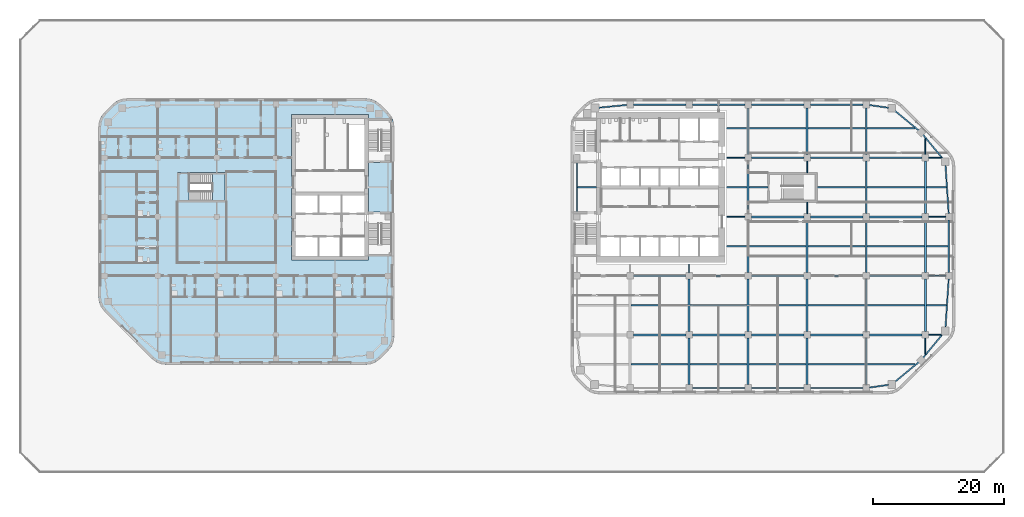
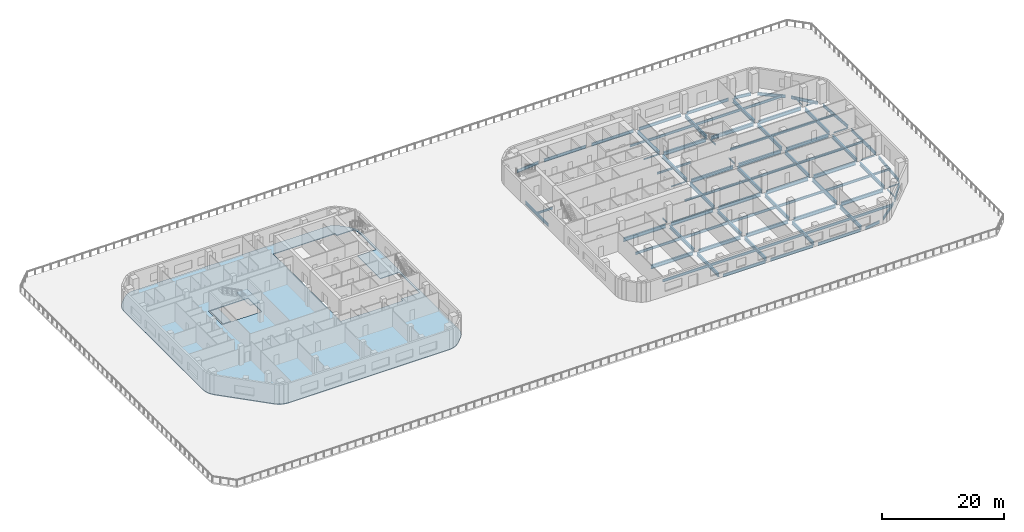
# One storey, part 3 of 18: 90 beams, 3 slabs, 1 element without a shape of its own.
"""IFC4 building model written with IfcOpenShell, lengths in metres."""

from ifc_helpers import new_model, si_unit, direction, frame, origin, origin_2d, place, context, subcontext, project, spatial, polyline, i_section, outline, extrude, material, layer, layer_set, material_profile, profile_set, type_object, element, aggregate, save


model = new_model("IFC4")

# Units and contexts
model_context = context("Model", 3, precision=1e-05, world=origin(), true_north=direction((0.0, 1.0)))
body_context = subcontext(model_context, "Body", "Model", "MODEL_VIEW")
ifc_project = project(units=[si_unit("LENGTHUNIT", "METRE"), si_unit("AREAUNIT", "SQUARE_METRE"), si_unit("VOLUMEUNIT", "CUBIC_METRE"), si_unit("PLANEANGLEUNIT", "RADIAN"), si_unit("MASSUNIT", "GRAM", prefix="KILO")], contexts=[model_context])

# Site, building, storey
site_placement = place(None, origin())
site = spatial("IfcSite", under=ifc_project, at=site_placement, CompositionType="ELEMENT")
building_placement = place(site_placement, origin())
building = spatial("IfcBuilding", under=site, at=building_placement, Name="Cinnabar Reach Civic Tower", CompositionType="ELEMENT")
storey_placement = place(building_placement, frame((0.0, 0.0, 26.0)))
storey = spatial("IfcBuildingStorey", under=building, at=storey_placement, Name="L05", CompositionType="ELEMENT", Elevation=26.0)

# Beams
ifc_material_1 = material(Name="Steel Q355B", Category="steel")
ifc_material_profile_1 = material_profile(ifc_material_1, i_section(OverallWidth=0.099, OverallDepth=0.198, WebThickness=0.0045, FlangeThickness=0.007, FilletRadius=0.013, at=origin_2d()), Name="HN200x100x5.5x8")
ifc_profile_set_1 = profile_set([ifc_material_profile_1], Name="Steel Q355B")
beam_type_1 = type_object("IfcBeamType", Name="HN200x100x5.5x8 beam R 180", PredefinedType="BEAM", material=ifc_profile_set_1)
beam_1_placement = place(storey_placement, frame((18.0, 18.502, -0.249), z_axis=(0.0, 1.0, 0.0), x_axis=(-1.0, 0.0, 0.0)))
element("IfcBeam", 1, at=beam_1_placement, inside=storey, type_object=beam_type_1, Name="Girder T1 L05 6", PredefinedType="BEAM", context=body_context, shape_type="SweptSolid", body=[
    extrude(i_section(OverallWidth=0.099, OverallDepth=0.198, WebThickness=0.0045, FlangeThickness=0.007, FilletRadius=0.013, at=origin_2d()), origin(), (0.0, 0.0, 1.0), 1.296),
])
for number, where, z_axis, x_axis, name in (
    (2, (36.0, 27.502, -0.249), (0.0, 1.0, 0.0), (-1.0, 0.0, 0.0), "Girder T1 L05 15"),
    (3, (36.0, 33.752, -0.249), (0.0, 1.0, 0.0), (-1.0, 0.0, 0.0), "Girder T1 L05 16"),
):
    element("IfcBeam", number, at=place(storey_placement, frame(where, z_axis=z_axis, x_axis=x_axis)), inside=storey, type_object=beam_type_1, Name=name, PredefinedType="BEAM", context=body_context, shape_type="SweptSolid", body=[
        extrude(i_section(OverallWidth=0.099, OverallDepth=0.198, WebThickness=0.0045, FlangeThickness=0.007, FilletRadius=0.013, at=origin_2d()), origin(), (0.0, 0.0, 1.0), 1.746),
    ])
for number, where, z_axis, x_axis, name in (
    (4, (54.0, 6.0682, -0.249), (0.0, 1.0, 0.0), (-1.0, 0.0, 0.0), "Girder T1 L05 23"),
    (5, (54.0, 36.502, -0.249), (0.0, 1.0, 0.0), (-1.0, 0.0, 0.0), "Girder T1 L05 27"),
):
    element("IfcBeam", number, at=place(storey_placement, frame(where, z_axis=z_axis, x_axis=x_axis)), inside=storey, type_object=beam_type_1, Name=name, PredefinedType="BEAM", context=body_context, shape_type="SweptSolid", body=[
        extrude(i_section(OverallWidth=0.099, OverallDepth=0.198, WebThickness=0.0045, FlangeThickness=0.007, FilletRadius=0.013, at=origin_2d()), origin(), (0.0, 0.0, 1.0), 2.4298),
    ])
ifc_material_profile_2 = material_profile(ifc_material_1, i_section(OverallWidth=0.124, OverallDepth=0.248, WebThickness=0.005, FlangeThickness=0.008, FilletRadius=0.013, at=origin_2d()), Name="HN250x125x6x9")
ifc_profile_set_2 = profile_set([ifc_material_profile_2], Name="Steel Q355B")
beam_type_2 = type_object("IfcBeamType", Name="HN250x125x6x9 beam R 180", PredefinedType="BEAM", material=ifc_profile_set_2)
beam_2_placement = place(storey_placement, frame((54.502, 9.0, -0.274), z_axis=(1.0, 0.0, 0.0), x_axis=(0.0, 1.0, 0.0)))
element("IfcBeam", 6, at=beam_2_placement, inside=storey, type_object=beam_type_2, Name="Girder T1 L05 7", PredefinedType="BEAM", context=body_context, shape_type="SweptSolid", body=[
    extrude(i_section(OverallWidth=0.124, OverallDepth=0.248, WebThickness=0.005, FlangeThickness=0.008, FilletRadius=0.013, at=origin_2d()), origin(), (0.0, 0.0, 1.0), 1.9162),
])
beam_3_placement = place(storey_placement, frame((54.502, 18.0, -0.274), z_axis=(1.0, 0.0, 0.0), x_axis=(0.0, 1.0, 0.0)))
element("IfcBeam", 7, at=beam_3_placement, inside=storey, type_object=beam_type_2, Name="Girder T1 L05 14", PredefinedType="BEAM", context=body_context, shape_type="SweptSolid", body=[
    extrude(i_section(OverallWidth=0.124, OverallDepth=0.248, WebThickness=0.005, FlangeThickness=0.008, FilletRadius=0.013, at=origin_2d()), origin(), (0.0, 0.0, 1.0), 2.596),
])
beam_4_placement = place(storey_placement, frame((23.702, 27.0, -0.274), z_axis=(1.0, 0.0, 0.0), x_axis=(0.0, 1.0, 0.0)))
element("IfcBeam", 8, at=beam_4_placement, inside=storey, type_object=beam_type_2, Name="Girder T1 L05 15", PredefinedType="BEAM", context=body_context, shape_type="SweptSolid", body=[
    extrude(i_section(OverallWidth=0.124, OverallDepth=0.248, WebThickness=0.005, FlangeThickness=0.008, FilletRadius=0.013, at=origin_2d()), origin(), (0.0, 0.0, 1.0), 2.796),
])
beam_5_placement = place(storey_placement, frame((54.502, 27.0, -0.274), z_axis=(1.0, 0.0, 0.0), x_axis=(0.0, 1.0, 0.0)))
element("IfcBeam", 9, at=beam_5_placement, inside=storey, type_object=beam_type_2, Name="Girder T1 L05 19", PredefinedType="BEAM", context=body_context, shape_type="SweptSolid", body=[
    extrude(i_section(OverallWidth=0.124, OverallDepth=0.248, WebThickness=0.005, FlangeThickness=0.008, FilletRadius=0.013, at=origin_2d()), origin(), (0.0, 0.0, 1.0), 2.596),
])
beam_6_placement = place(storey_placement, frame((23.702, 36.0, -0.274), z_axis=(1.0, 0.0, 0.0), x_axis=(0.0, 1.0, 0.0)))
element("IfcBeam", 10, at=beam_6_placement, inside=storey, type_object=beam_type_2, Name="Girder T1 L05 20", PredefinedType="BEAM", context=body_context, shape_type="SweptSolid", body=[
    extrude(i_section(OverallWidth=0.124, OverallDepth=0.248, WebThickness=0.005, FlangeThickness=0.008, FilletRadius=0.013, at=origin_2d()), origin(), (0.0, 0.0, 1.0), 2.796),
])
beam_7_placement = place(storey_placement, frame((54.502, 36.0, -0.274), z_axis=(1.0, 0.0, 0.0), x_axis=(0.0, 1.0, 0.0)))
element("IfcBeam", 11, at=beam_7_placement, inside=storey, type_object=beam_type_2, Name="Girder T1 L05 24", PredefinedType="BEAM", context=body_context, shape_type="SweptSolid", body=[
    extrude(i_section(OverallWidth=0.124, OverallDepth=0.248, WebThickness=0.005, FlangeThickness=0.008, FilletRadius=0.013, at=origin_2d()), origin(), (0.0, 0.0, 1.0), 1.9162),
])
ifc_material_profile_3 = material_profile(ifc_material_1, i_section(OverallWidth=0.2, OverallDepth=0.4, WebThickness=0.008, FlangeThickness=0.013, FilletRadius=0.016, at=origin_2d()), Name="HN400x200x8x13")
ifc_profile_set_3 = profile_set([ifc_material_profile_3], Name="Steel Q355B")
beam_type_3 = type_object("IfcBeamType", Name="HN400x200x8x13 beam R 180", PredefinedType="BEAM", material=ifc_profile_set_3)
beam_8_placement = place(storey_placement, frame((54.152, 13.5, -0.35), z_axis=(1.0, 0.0, 0.0), x_axis=(0.0, 1.0, 0.0)))
element("IfcBeam", 12, at=beam_8_placement, inside=storey, type_object=beam_type_3, Name="Secondary beam T1 L05 13", PredefinedType="BEAM", context=body_context, shape_type="SweptSolid", body=[
    extrude(i_section(OverallWidth=0.2, OverallDepth=0.4, WebThickness=0.008, FlangeThickness=0.013, FilletRadius=0.016, at=origin_2d()), origin(), (0.0, 0.0, 1.0), 3.0494),
])
beam_9_placement = place(storey_placement, frame((23.702, 22.5, -0.35), z_axis=(1.0, 0.0, 0.0), x_axis=(0.0, 1.0, 0.0)))
element("IfcBeam", 13, at=beam_9_placement, inside=storey, type_object=beam_type_3, Name="Secondary beam T1 L05 14", PredefinedType="BEAM", context=body_context, shape_type="SweptSolid", body=[
    extrude(i_section(OverallWidth=0.2, OverallDepth=0.4, WebThickness=0.008, FlangeThickness=0.013, FilletRadius=0.016, at=origin_2d()), origin(), (0.0, 0.0, 1.0), 3.146),
])
beam_10_placement = place(storey_placement, frame((54.152, 22.5, -0.35), z_axis=(1.0, 0.0, 0.0), x_axis=(0.0, 1.0, 0.0)))
element("IfcBeam", 14, at=beam_10_placement, inside=storey, type_object=beam_type_3, Name="Secondary beam T1 L05 18", PredefinedType="BEAM", context=body_context, shape_type="SweptSolid", body=[
    extrude(i_section(OverallWidth=0.2, OverallDepth=0.4, WebThickness=0.008, FlangeThickness=0.013, FilletRadius=0.016, at=origin_2d()), origin(), (0.0, 0.0, 1.0), 3.346),
])
beam_11_placement = place(storey_placement, frame((1.002, 31.5, -0.35), z_axis=(1.0, 0.0, 0.0), x_axis=(0.0, 1.0, 0.0)))
element("IfcBeam", 15, at=beam_11_placement, inside=storey, type_object=beam_type_3, Name="Secondary beam T1 L05 19", PredefinedType="BEAM", context=body_context, shape_type="SweptSolid", body=[
    extrude(i_section(OverallWidth=0.2, OverallDepth=0.4, WebThickness=0.008, FlangeThickness=0.013, FilletRadius=0.016, at=origin_2d()), origin(), (0.0, 0.0, 1.0), 2.896),
])
beam_12_placement = place(storey_placement, frame((23.702, 31.5, -0.35), z_axis=(1.0, 0.0, 0.0), x_axis=(0.0, 1.0, 0.0)))
element("IfcBeam", 16, at=beam_12_placement, inside=storey, type_object=beam_type_3, Name="Secondary beam T1 L05 20", PredefinedType="BEAM", context=body_context, shape_type="SweptSolid", body=[
    extrude(i_section(OverallWidth=0.2, OverallDepth=0.4, WebThickness=0.008, FlangeThickness=0.013, FilletRadius=0.016, at=origin_2d()), origin(), (0.0, 0.0, 1.0), 3.146),
])
beam_13_placement = place(storey_placement, frame((27.152, 31.5, -0.35), z_axis=(1.0, 0.0, 0.0), x_axis=(0.0, 1.0, 0.0)))
element("IfcBeam", 17, at=beam_13_placement, inside=storey, type_object=beam_type_3, Name="Secondary beam T1 L05 21", PredefinedType="BEAM", context=body_context, shape_type="SweptSolid", body=[
    extrude(i_section(OverallWidth=0.2, OverallDepth=0.4, WebThickness=0.008, FlangeThickness=0.013, FilletRadius=0.016, at=origin_2d()), origin(), (0.0, 0.0, 1.0), 2.846),
])
beam_14_placement = place(storey_placement, frame((54.152, 31.5, -0.35), z_axis=(1.0, 0.0, 0.0), x_axis=(0.0, 1.0, 0.0)))
element("IfcBeam", 18, at=beam_14_placement, inside=storey, type_object=beam_type_3, Name="Secondary beam T1 L05 24", PredefinedType="BEAM", context=body_context, shape_type="SweptSolid", body=[
    extrude(i_section(OverallWidth=0.2, OverallDepth=0.4, WebThickness=0.008, FlangeThickness=0.013, FilletRadius=0.016, at=origin_2d()), origin(), (0.0, 0.0, 1.0), 3.0494),
])
beam_15_placement = place(storey_placement, frame((23.702, 40.5, -0.35), z_axis=(1.0, 0.0, 0.0), x_axis=(0.0, 1.0, 0.0)))
element("IfcBeam", 19, at=beam_15_placement, inside=storey, type_object=beam_type_3, Name="Secondary beam T1 L05 25", PredefinedType="BEAM", context=body_context, shape_type="SweptSolid", body=[
    extrude(i_section(OverallWidth=0.2, OverallDepth=0.4, WebThickness=0.008, FlangeThickness=0.013, FilletRadius=0.016, at=origin_2d()), origin(), (0.0, 0.0, 1.0), 3.146),
])
ifc_material_profile_4 = material_profile(ifc_material_1, i_section(OverallWidth=0.2, OverallDepth=0.5, WebThickness=0.01, FlangeThickness=0.016, FilletRadius=0.016, at=origin_2d()), Name="HN500x200x10x16")
ifc_profile_set_4 = profile_set([ifc_material_profile_4], Name="Steel Q355B")
beam_type_4 = type_object("IfcBeamType", Name="HN500x200x10x16 beam R 180", PredefinedType="BEAM", material=ifc_profile_set_4)
for number, where, z_axis, x_axis, name in (
    (20, (9.152, 4.5, -0.4), (1.0, 0.0, 0.0), (0.0, 1.0, 0.0), "Secondary beam T1 L05 2"),
    (21, (18.152, 4.5, -0.4), (1.0, 0.0, 0.0), (0.0, 1.0, 0.0), "Secondary beam T1 L05 3"),
    (22, (27.152, 4.5, -0.4), (1.0, 0.0, 0.0), (0.0, 1.0, 0.0), "Secondary beam T1 L05 4"),
    (23, (36.152, 4.5, -0.4), (1.0, 0.0, 0.0), (0.0, 1.0, 0.0), "Secondary beam T1 L05 5"),
):
    element("IfcBeam", number, at=place(storey_placement, frame(where, z_axis=z_axis, x_axis=x_axis)), inside=storey, type_object=beam_type_4, Name=name, PredefinedType="BEAM", context=body_context, shape_type="SweptSolid", body=[
        extrude(i_section(OverallWidth=0.2, OverallDepth=0.5, WebThickness=0.01, FlangeThickness=0.016, FilletRadius=0.016, at=origin_2d()), origin(), (0.0, 0.0, 1.0), 8.696),
    ])
beam_16_placement = place(storey_placement, frame((45.152, 4.5, -0.4), z_axis=(1.0, 0.0, 0.0), x_axis=(0.0, 1.0, 0.0)))
element("IfcBeam", 24, at=beam_16_placement, inside=storey, type_object=beam_type_4, Name="Secondary beam T1 L05 6", PredefinedType="BEAM", context=body_context, shape_type="SweptSolid", body=[
    extrude(i_section(OverallWidth=0.2, OverallDepth=0.5, WebThickness=0.01, FlangeThickness=0.016, FilletRadius=0.016, at=origin_2d()), origin(), (0.0, 0.0, 1.0), 7.2798),
])
for number, where, z_axis, x_axis, name in (
    (25, (9.152, 13.5, -0.4), (1.0, 0.0, 0.0), (0.0, 1.0, 0.0), "Secondary beam T1 L05 8"),
    (26, (18.152, 13.5, -0.4), (1.0, 0.0, 0.0), (0.0, 1.0, 0.0), "Secondary beam T1 L05 9"),
    (27, (27.152, 13.5, -0.4), (1.0, 0.0, 0.0), (0.0, 1.0, 0.0), "Secondary beam T1 L05 10"),
    (28, (36.152, 13.5, -0.4), (1.0, 0.0, 0.0), (0.0, 1.0, 0.0), "Secondary beam T1 L05 11"),
    (29, (45.152, 13.5, -0.4), (1.0, 0.0, 0.0), (0.0, 1.0, 0.0), "Secondary beam T1 L05 12"),
    (30, (27.152, 22.5, -0.4), (1.0, 0.0, 0.0), (0.0, 1.0, 0.0), "Secondary beam T1 L05 15"),
    (31, (36.152, 22.5, -0.4), (1.0, 0.0, 0.0), (0.0, 1.0, 0.0), "Secondary beam T1 L05 16"),
    (32, (45.152, 22.5, -0.4), (1.0, 0.0, 0.0), (0.0, 1.0, 0.0), "Secondary beam T1 L05 17"),
):
    element("IfcBeam", number, at=place(storey_placement, frame(where, z_axis=z_axis, x_axis=x_axis)), inside=storey, type_object=beam_type_4, Name=name, PredefinedType="BEAM", context=body_context, shape_type="SweptSolid", body=[
        extrude(i_section(OverallWidth=0.2, OverallDepth=0.5, WebThickness=0.01, FlangeThickness=0.016, FilletRadius=0.016, at=origin_2d()), origin(), (0.0, 0.0, 1.0), 8.696),
    ])
beam_17_placement = place(storey_placement, frame((37.502, 31.5, -0.4), z_axis=(1.0, 0.0, 0.0), x_axis=(0.0, 1.0, 0.0)))
element("IfcBeam", 33, at=beam_17_placement, inside=storey, type_object=beam_type_4, Name="Secondary beam T1 L05 22", PredefinedType="BEAM", context=body_context, shape_type="SweptSolid", body=[
    extrude(i_section(OverallWidth=0.2, OverallDepth=0.5, WebThickness=0.01, FlangeThickness=0.016, FilletRadius=0.016, at=origin_2d()), origin(), (0.0, 0.0, 1.0), 7.346),
])
for number, where, z_axis, x_axis, name in (
    (34, (45.152, 31.5, -0.4), (1.0, 0.0, 0.0), (0.0, 1.0, 0.0), "Secondary beam T1 L05 23"),
    (35, (27.152, 40.5, -0.4), (1.0, 0.0, 0.0), (0.0, 1.0, 0.0), "Secondary beam T1 L05 26"),
    (36, (36.152, 40.5, -0.4), (1.0, 0.0, 0.0), (0.0, 1.0, 0.0), "Secondary beam T1 L05 27"),
):
    element("IfcBeam", number, at=place(storey_placement, frame(where, z_axis=z_axis, x_axis=x_axis)), inside=storey, type_object=beam_type_4, Name=name, PredefinedType="BEAM", context=body_context, shape_type="SweptSolid", body=[
        extrude(i_section(OverallWidth=0.2, OverallDepth=0.5, WebThickness=0.01, FlangeThickness=0.016, FilletRadius=0.016, at=origin_2d()), origin(), (0.0, 0.0, 1.0), 8.696),
    ])
beam_18_placement = place(storey_placement, frame((45.152, 40.5, -0.4), z_axis=(1.0, 0.0, 0.0), x_axis=(0.0, 1.0, 0.0)))
element("IfcBeam", 37, at=beam_18_placement, inside=storey, type_object=beam_type_4, Name="Secondary beam T1 L05 28", PredefinedType="BEAM", context=body_context, shape_type="SweptSolid", body=[
    extrude(i_section(OverallWidth=0.2, OverallDepth=0.5, WebThickness=0.01, FlangeThickness=0.016, FilletRadius=0.016, at=origin_2d()), origin(), (0.0, 0.0, 1.0), 7.2798),
])
ifc_material_profile_5 = material_profile(ifc_material_1, i_section(OverallWidth=0.2, OverallDepth=0.6, WebThickness=0.011, FlangeThickness=0.017, FilletRadius=0.016, at=origin_2d()), Name="HN600x200x11x17")
ifc_profile_set_5 = profile_set([ifc_material_profile_5], Name="Steel Q355B")
beam_type_5 = type_object("IfcBeamType", Name="HN600x200x11x17 beam R 180", PredefinedType="BEAM", material=ifc_profile_set_5)
for number, where, z_axis, x_axis, name in (
    (38, (18.502, 0.9, -0.45), (1.0, 0.0, 0.0), (0.0, 1.0, 0.0), "Edge beam T1 L05 3"),
    (39, (27.502, 0.9, -0.45), (1.0, 0.0, 0.0), (0.0, 1.0, 0.0), "Edge beam T1 L05 4"),
    (40, (36.502, 0.9, -0.45), (1.0, 0.0, 0.0), (0.0, 1.0, 0.0), "Edge beam T1 L05 5"),
):
    element("IfcBeam", number, at=place(storey_placement, frame(where, z_axis=z_axis, x_axis=x_axis)), inside=storey, type_object=beam_type_5, Name=name, PredefinedType="BEAM", context=body_context, shape_type="SweptSolid", body=[
        extrude(i_section(OverallWidth=0.2, OverallDepth=0.6, WebThickness=0.011, FlangeThickness=0.017, FilletRadius=0.016, at=origin_2d()), origin(), (0.0, 0.0, 1.0), 7.996),
    ])
beam_19_placement = place(storey_placement, frame((45.502, 0.9712, -0.45), z_axis=(0.990082238922, 0.140489003738, 0.0), x_axis=(-0.140489003738, 0.990082238922, 0.0)))
element("IfcBeam", 41, at=beam_19_placement, inside=storey, type_object=beam_type_5, Name="Edge beam T1 L05 6", PredefinedType="BEAM", context=body_context, shape_type="SweptSolid", body=[
    extrude(i_section(OverallWidth=0.2, OverallDepth=0.6, WebThickness=0.011, FlangeThickness=0.017, FilletRadius=0.016, at=origin_2d()), origin(), (0.0, 0.0, 1.0), 2.9433),
])
for number, where, z_axis, x_axis, name in (
    (42, (49.3801, 1.8507, -0.45), (0.77143827905, 0.6363041581, 0.0), (-0.6363041581, 0.77143827905, 0.0), "Edge beam T1 L05 7"),
    (43, (53.6461, 5.4789, -0.45), (0.6363041581, 0.77143827905, 0.0), (-0.77143827905, 0.6363041581, 0.0), "Edge beam T1 L05 8"),
):
    element("IfcBeam", number, at=place(storey_placement, frame(where, z_axis=z_axis, x_axis=x_axis)), inside=storey, type_object=beam_type_5, Name=name, PredefinedType="BEAM", context=body_context, shape_type="SweptSolid", body=[
        extrude(i_section(OverallWidth=0.2, OverallDepth=0.6, WebThickness=0.011, FlangeThickness=0.017, FilletRadius=0.016, at=origin_2d()), origin(), (0.0, 0.0, 1.0), 4.7198),
    ])
beam_20_placement = place(storey_placement, frame((57.0786, 10.0839, -0.45), z_axis=(0.065718615968, 0.997838195057, 0.0), x_axis=(-0.997838195057, 0.065718615968, 0.0)))
element("IfcBeam", 44, at=beam_20_placement, inside=storey, type_object=beam_type_5, Name="Edge beam T1 L05 9", PredefinedType="BEAM", context=body_context, shape_type="SweptSolid", body=[
    extrude(i_section(OverallWidth=0.2, OverallDepth=0.6, WebThickness=0.011, FlangeThickness=0.017, FilletRadius=0.016, at=origin_2d()), origin(), (0.0, 0.0, 1.0), 7.4302),
])
beam_21_placement = place(storey_placement, frame((57.6, 18.502, -0.45), z_axis=(0.0, 1.0, 0.0), x_axis=(-1.0, 0.0, 0.0)))
element("IfcBeam", 45, at=beam_21_placement, inside=storey, type_object=beam_type_5, Name="Edge beam T1 L05 10", PredefinedType="BEAM", context=body_context, shape_type="SweptSolid", body=[
    extrude(i_section(OverallWidth=0.2, OverallDepth=0.6, WebThickness=0.011, FlangeThickness=0.017, FilletRadius=0.016, at=origin_2d()), origin(), (0.0, 0.0, 1.0), 7.996),
])
beam_22_placement = place(storey_placement, frame((57.5669, 27.502, -0.45), z_axis=(-0.065718615968, 0.997838195057, 0.0), x_axis=(-0.997838195057, -0.065718615968, 0.0)))
element("IfcBeam", 46, at=beam_22_placement, inside=storey, type_object=beam_type_5, Name="Edge beam T1 L05 11", PredefinedType="BEAM", context=body_context, shape_type="SweptSolid", body=[
    extrude(i_section(OverallWidth=0.2, OverallDepth=0.6, WebThickness=0.011, FlangeThickness=0.017, FilletRadius=0.016, at=origin_2d()), origin(), (0.0, 0.0, 1.0), 7.4302),
])
for number, where, z_axis, x_axis, name in (
    (47, (56.6493, 35.8801, -0.45), (-0.6363041581, 0.77143827905, 0.0), (-0.77143827905, -0.6363041581, 0.0), "Edge beam T1 L05 12"),
    (48, (53.0211, 40.1461, -0.45), (-0.77143827905, 0.6363041581, 0.0), (-0.6363041581, -0.77143827905, 0.0), "Edge beam T1 L05 13"),
):
    element("IfcBeam", number, at=place(storey_placement, frame(where, z_axis=z_axis, x_axis=x_axis)), inside=storey, type_object=beam_type_5, Name=name, PredefinedType="BEAM", context=body_context, shape_type="SweptSolid", body=[
        extrude(i_section(OverallWidth=0.2, OverallDepth=0.6, WebThickness=0.011, FlangeThickness=0.017, FilletRadius=0.016, at=origin_2d()), origin(), (0.0, 0.0, 1.0), 4.7198),
    ])
beam_23_placement = place(storey_placement, frame((48.4161, 43.6153, -0.45), z_axis=(-0.990082238922, 0.140489003738, 0.0), x_axis=(-0.140489003738, -0.990082238922, 0.0)))
element("IfcBeam", 49, at=beam_23_placement, inside=storey, type_object=beam_type_5, Name="Edge beam T1 L05 14", PredefinedType="BEAM", context=body_context, shape_type="SweptSolid", body=[
    extrude(i_section(OverallWidth=0.2, OverallDepth=0.6, WebThickness=0.011, FlangeThickness=0.017, FilletRadius=0.016, at=origin_2d()), origin(), (0.0, 0.0, 1.0), 2.9433),
])
for number, where, z_axis, x_axis, name in (
    (50, (44.498, 44.1, -0.45), (-1.0, 0.0, 0.0), (0.0, -1.0, 0.0), "Edge beam T1 L05 15"),
    (51, (35.498, 44.1, -0.45), (-1.0, 0.0, 0.0), (0.0, -1.0, 0.0), "Edge beam T1 L05 16"),
    (52, (26.498, 44.1, -0.45), (-1.0, 0.0, 0.0), (0.0, -1.0, 0.0), "Edge beam T1 L05 17"),
    (53, (17.498, 44.1, -0.45), (-1.0, 0.0, 0.0), (0.0, -1.0, 0.0), "Edge beam T1 L05 18"),
):
    element("IfcBeam", number, at=place(storey_placement, frame(where, z_axis=z_axis, x_axis=x_axis)), inside=storey, type_object=beam_type_5, Name=name, PredefinedType="BEAM", context=body_context, shape_type="SweptSolid", body=[
        extrude(i_section(OverallWidth=0.2, OverallDepth=0.6, WebThickness=0.011, FlangeThickness=0.017, FilletRadius=0.016, at=origin_2d()), origin(), (0.0, 0.0, 1.0), 7.996),
    ])
beam_24_placement = place(storey_placement, frame((8.498, 44.0505, -0.45), z_axis=(-0.995166374533, -0.098203294236, 0.0), x_axis=(0.098203294236, -0.995166374533, 0.0)))
element("IfcBeam", 54, at=beam_24_placement, inside=storey, type_object=beam_type_5, Name="Edge beam T1 L05 19", PredefinedType="BEAM", context=body_context, shape_type="SweptSolid", body=[
    extrude(i_section(OverallWidth=0.2, OverallDepth=0.6, WebThickness=0.011, FlangeThickness=0.017, FilletRadius=0.016, at=origin_2d()), origin(), (0.0, 0.0, 1.0), 4.3705),
])
beam_25_placement = place(storey_placement, frame((0.9, 35.248, -0.45), z_axis=(0.0, -1.0, 0.0), x_axis=(1.0, 0.0, 0.0)))
element("IfcBeam", 55, at=beam_25_placement, inside=storey, type_object=beam_type_5, Name="Edge beam T1 L05 20", PredefinedType="BEAM", context=body_context, shape_type="SweptSolid", body=[
    extrude(i_section(OverallWidth=0.2, OverallDepth=0.6, WebThickness=0.011, FlangeThickness=0.017, FilletRadius=0.016, at=origin_2d()), origin(), (0.0, 0.0, 1.0), 7.496),
])
ifc_material_profile_6 = material_profile(ifc_material_1, i_section(OverallWidth=0.3, OverallDepth=0.692, WebThickness=0.013, FlangeThickness=0.02, FilletRadius=0.016, at=origin_2d()), Name="HN692x300x13x20")
ifc_profile_set_6 = profile_set([ifc_material_profile_6], Name="Steel Q355B")
beam_type_6 = type_object("IfcBeamType", Name="HN692x300x13x20 beam R 180", PredefinedType="BEAM", material=ifc_profile_set_6)
beam_26_placement = place(storey_placement, frame((18.0, 1.402, -0.496), z_axis=(0.0, 1.0, 0.0), x_axis=(-1.0, 0.0, 0.0)))
element("IfcBeam", 56, at=beam_26_placement, inside=storey, type_object=beam_type_6, Name="Girder T1 L05 4", PredefinedType="BEAM", context=body_context, shape_type="SweptSolid", body=[
    extrude(i_section(OverallWidth=0.3, OverallDepth=0.692, WebThickness=0.013, FlangeThickness=0.02, FilletRadius=0.016, at=origin_2d()), origin(), (0.0, 0.0, 1.0), 7.096),
])
beam_27_placement = place(storey_placement, frame((18.0, 9.502, -0.496), z_axis=(0.0, 1.0, 0.0), x_axis=(-1.0, 0.0, 0.0)))
element("IfcBeam", 57, at=beam_27_placement, inside=storey, type_object=beam_type_6, Name="Girder T1 L05 5", PredefinedType="BEAM", context=body_context, shape_type="SweptSolid", body=[
    extrude(i_section(OverallWidth=0.3, OverallDepth=0.692, WebThickness=0.013, FlangeThickness=0.02, FilletRadius=0.016, at=origin_2d()), origin(), (0.0, 0.0, 1.0), 7.996),
])
beam_28_placement = place(storey_placement, frame((27.0, 1.402, -0.496), z_axis=(0.0, 1.0, 0.0), x_axis=(-1.0, 0.0, 0.0)))
element("IfcBeam", 58, at=beam_28_placement, inside=storey, type_object=beam_type_6, Name="Girder T1 L05 7", PredefinedType="BEAM", context=body_context, shape_type="SweptSolid", body=[
    extrude(i_section(OverallWidth=0.3, OverallDepth=0.692, WebThickness=0.013, FlangeThickness=0.02, FilletRadius=0.016, at=origin_2d()), origin(), (0.0, 0.0, 1.0), 7.096),
])
for number, where, z_axis, x_axis, name in (
    (59, (27.0, 9.502, -0.496), (0.0, 1.0, 0.0), (-1.0, 0.0, 0.0), "Girder T1 L05 8"),
    (60, (27.0, 18.502, -0.496), (0.0, 1.0, 0.0), (-1.0, 0.0, 0.0), "Girder T1 L05 9"),
    (61, (27.0, 27.502, -0.496), (0.0, 1.0, 0.0), (-1.0, 0.0, 0.0), "Girder T1 L05 10"),
):
    element("IfcBeam", number, at=place(storey_placement, frame(where, z_axis=z_axis, x_axis=x_axis)), inside=storey, type_object=beam_type_6, Name=name, PredefinedType="BEAM", context=body_context, shape_type="SweptSolid", body=[
        extrude(i_section(OverallWidth=0.3, OverallDepth=0.692, WebThickness=0.013, FlangeThickness=0.02, FilletRadius=0.016, at=origin_2d()), origin(), (0.0, 0.0, 1.0), 7.996),
    ])
for number, where, z_axis, x_axis, name in (
    (62, (27.0, 36.502, -0.496), (0.0, 1.0, 0.0), (-1.0, 0.0, 0.0), "Girder T1 L05 11"),
    (63, (36.0, 1.402, -0.496), (0.0, 1.0, 0.0), (-1.0, 0.0, 0.0), "Girder T1 L05 12"),
):
    element("IfcBeam", number, at=place(storey_placement, frame(where, z_axis=z_axis, x_axis=x_axis)), inside=storey, type_object=beam_type_6, Name=name, PredefinedType="BEAM", context=body_context, shape_type="SweptSolid", body=[
        extrude(i_section(OverallWidth=0.3, OverallDepth=0.692, WebThickness=0.013, FlangeThickness=0.02, FilletRadius=0.016, at=origin_2d()), origin(), (0.0, 0.0, 1.0), 7.096),
    ])
for number, where, z_axis, x_axis, name in (
    (64, (36.0, 9.502, -0.496), (0.0, 1.0, 0.0), (-1.0, 0.0, 0.0), "Girder T1 L05 13"),
    (65, (36.0, 18.502, -0.496), (0.0, 1.0, 0.0), (-1.0, 0.0, 0.0), "Girder T1 L05 14"),
):
    element("IfcBeam", number, at=place(storey_placement, frame(where, z_axis=z_axis, x_axis=x_axis)), inside=storey, type_object=beam_type_6, Name=name, PredefinedType="BEAM", context=body_context, shape_type="SweptSolid", body=[
        extrude(i_section(OverallWidth=0.3, OverallDepth=0.692, WebThickness=0.013, FlangeThickness=0.02, FilletRadius=0.016, at=origin_2d()), origin(), (0.0, 0.0, 1.0), 7.996),
    ])
for number, where, z_axis, x_axis, name in (
    (66, (36.0, 36.502, -0.496), (0.0, 1.0, 0.0), (-1.0, 0.0, 0.0), "Girder T1 L05 17"),
    (67, (45.0, 1.402, -0.496), (0.0, 1.0, 0.0), (-1.0, 0.0, 0.0), "Girder T1 L05 18"),
):
    element("IfcBeam", number, at=place(storey_placement, frame(where, z_axis=z_axis, x_axis=x_axis)), inside=storey, type_object=beam_type_6, Name=name, PredefinedType="BEAM", context=body_context, shape_type="SweptSolid", body=[
        extrude(i_section(OverallWidth=0.3, OverallDepth=0.692, WebThickness=0.013, FlangeThickness=0.02, FilletRadius=0.016, at=origin_2d()), origin(), (0.0, 0.0, 1.0), 7.096),
    ])
for number, where, z_axis, x_axis, name in (
    (68, (45.0, 9.502, -0.496), (0.0, 1.0, 0.0), (-1.0, 0.0, 0.0), "Girder T1 L05 19"),
    (69, (45.0, 18.502, -0.496), (0.0, 1.0, 0.0), (-1.0, 0.0, 0.0), "Girder T1 L05 20"),
    (70, (45.0, 27.502, -0.496), (0.0, 1.0, 0.0), (-1.0, 0.0, 0.0), "Girder T1 L05 21"),
):
    element("IfcBeam", number, at=place(storey_placement, frame(where, z_axis=z_axis, x_axis=x_axis)), inside=storey, type_object=beam_type_6, Name=name, PredefinedType="BEAM", context=body_context, shape_type="SweptSolid", body=[
        extrude(i_section(OverallWidth=0.3, OverallDepth=0.692, WebThickness=0.013, FlangeThickness=0.02, FilletRadius=0.016, at=origin_2d()), origin(), (0.0, 0.0, 1.0), 7.996),
    ])
beam_29_placement = place(storey_placement, frame((45.0, 36.502, -0.496), z_axis=(0.0, 1.0, 0.0), x_axis=(-1.0, 0.0, 0.0)))
element("IfcBeam", 71, at=beam_29_placement, inside=storey, type_object=beam_type_6, Name="Girder T1 L05 22", PredefinedType="BEAM", context=body_context, shape_type="SweptSolid", body=[
    extrude(i_section(OverallWidth=0.3, OverallDepth=0.692, WebThickness=0.013, FlangeThickness=0.02, FilletRadius=0.016, at=origin_2d()), origin(), (0.0, 0.0, 1.0), 7.096),
])
for number, where, z_axis, x_axis, name in (
    (72, (54.0, 9.502, -0.496), (0.0, 1.0, 0.0), (-1.0, 0.0, 0.0), "Girder T1 L05 24"),
    (73, (54.0, 18.502, -0.496), (0.0, 1.0, 0.0), (-1.0, 0.0, 0.0), "Girder T1 L05 25"),
    (74, (54.0, 27.502, -0.496), (0.0, 1.0, 0.0), (-1.0, 0.0, 0.0), "Girder T1 L05 26"),
):
    element("IfcBeam", number, at=place(storey_placement, frame(where, z_axis=z_axis, x_axis=x_axis)), inside=storey, type_object=beam_type_6, Name=name, PredefinedType="BEAM", context=body_context, shape_type="SweptSolid", body=[
        extrude(i_section(OverallWidth=0.3, OverallDepth=0.692, WebThickness=0.013, FlangeThickness=0.02, FilletRadius=0.016, at=origin_2d()), origin(), (0.0, 0.0, 1.0), 7.996),
    ])
ifc_material_profile_7 = material_profile(ifc_material_1, i_section(OverallWidth=0.3, OverallDepth=0.7, WebThickness=0.013, FlangeThickness=0.024, FilletRadius=0.02, at=origin_2d()), Name="HN700x300x13x24")
ifc_profile_set_7 = profile_set([ifc_material_profile_7], Name="Steel Q355B")
beam_type_7 = type_object("IfcBeamType", Name="HN700x300x13x24 beam R 180", PredefinedType="BEAM", material=ifc_profile_set_7)
for number, where, z_axis, x_axis, name in (
    (75, (9.502, 9.0, -0.5), (1.0, 0.0, 0.0), (0.0, 1.0, 0.0), "Girder T1 L05 2"),
    (76, (18.502, 9.0, -0.5), (1.0, 0.0, 0.0), (0.0, 1.0, 0.0), "Girder T1 L05 3"),
    (77, (27.502, 9.0, -0.5), (1.0, 0.0, 0.0), (0.0, 1.0, 0.0), "Girder T1 L05 4"),
    (78, (36.502, 9.0, -0.5), (1.0, 0.0, 0.0), (0.0, 1.0, 0.0), "Girder T1 L05 5"),
    (79, (45.502, 9.0, -0.5), (1.0, 0.0, 0.0), (0.0, 1.0, 0.0), "Girder T1 L05 6"),
    (80, (9.502, 18.0, -0.5), (1.0, 0.0, 0.0), (0.0, 1.0, 0.0), "Girder T1 L05 9"),
    (81, (18.502, 18.0, -0.5), (1.0, 0.0, 0.0), (0.0, 1.0, 0.0), "Girder T1 L05 10"),
    (82, (27.502, 18.0, -0.5), (1.0, 0.0, 0.0), (0.0, 1.0, 0.0), "Girder T1 L05 11"),
    (83, (36.502, 18.0, -0.5), (1.0, 0.0, 0.0), (0.0, 1.0, 0.0), "Girder T1 L05 12"),
    (84, (45.502, 18.0, -0.5), (1.0, 0.0, 0.0), (0.0, 1.0, 0.0), "Girder T1 L05 13"),
    (85, (27.502, 27.0, -0.5), (1.0, 0.0, 0.0), (0.0, 1.0, 0.0), "Girder T1 L05 16"),
    (86, (36.502, 27.0, -0.5), (1.0, 0.0, 0.0), (0.0, 1.0, 0.0), "Girder T1 L05 17"),
    (87, (45.502, 27.0, -0.5), (1.0, 0.0, 0.0), (0.0, 1.0, 0.0), "Girder T1 L05 18"),
    (88, (27.502, 36.0, -0.5), (1.0, 0.0, 0.0), (0.0, 1.0, 0.0), "Girder T1 L05 21"),
    (89, (36.502, 36.0, -0.5), (1.0, 0.0, 0.0), (0.0, 1.0, 0.0), "Girder T1 L05 22"),
    (90, (45.502, 36.0, -0.5), (1.0, 0.0, 0.0), (0.0, 1.0, 0.0), "Girder T1 L05 23"),
):
    element("IfcBeam", number, at=place(storey_placement, frame(where, z_axis=z_axis, x_axis=x_axis)), inside=storey, type_object=beam_type_7, Name=name, PredefinedType="BEAM", context=body_context, shape_type="SweptSolid", body=[
        extrude(i_section(OverallWidth=0.3, OverallDepth=0.7, WebThickness=0.013, FlangeThickness=0.024, FilletRadius=0.02, at=origin_2d()), origin(), (0.0, 0.0, 1.0), 7.996),
    ])

# Slab
ifc_material_2 = material(Name="Concrete C40", Category="concrete")
ifc_layer_1 = layer(ifc_material_2, 0.15)
ifc_layer_set_1 = layer_set([ifc_layer_1], Name="Composite floor slab 150 REI 120")
slab_type_1 = type_object("IfcSlabType", Name="Composite floor slab 150 REI 120", PredefinedType="FLOOR", material=ifc_layer_set_1)
slab_1_placement = place(storey_placement, frame((0.0, 0.0, -0.15)))
element("IfcSlab", 91, at=slab_1_placement, inside=storey, type_object=slab_type_1, Name="Composite floor slab 150 T2 L05", PredefinedType="FLOOR", context=body_context, shape_type="SweptSolid", body=[
    extrude(outline(polyline([(-71.1213, 12.6213), (-71.5981, 13.2426), (-71.8978, 13.9662), (-72.0, 14.7426), (-72.0, 40.7574), (-71.8978, 41.5338), (-71.5981, 42.2574), (-71.1213, 42.8787), (-69.8787, 44.1213), (-69.2574, 44.5981), (-68.5338, 44.8978), (-67.7574, 45.0), (-31.2426, 45.0), (-30.4662, 44.8978), (-29.7426, 44.5981), (-29.1213, 44.1213), (-27.8787, 42.8787), (-27.4019, 42.2574), (-27.1022, 41.5338), (-27.0, 40.7574), (-27.0, 8.7426), (-27.1022, 7.9662), (-27.4019, 7.2426), (-27.8787, 6.6213), (-29.1213, 5.3787), (-29.7426, 4.9019), (-30.4662, 4.6022), (-31.2426, 4.5), (-61.7574, 4.5), (-62.5338, 4.6022), (-63.2574, 4.9019), (-63.8787, 5.3787), (-71.1213, 12.6213)]), holes=[polyline([(-30.9, 27.75), (-30.9, 35.25), (-27.36, 35.25), (-27.36, 40.7338), (-27.453, 41.4398), (-27.685, 42.0), (-30.9, 42.0), (-30.9, 42.6), (-42.6, 42.6), (-42.6, 20.4), (-30.9, 20.4), (-30.9, 21.0), (-27.36, 21.0), (-27.36, 27.75), (-30.9, 27.75)]), polyline([(-60.0, 33.75), (-60.0, 29.25), (-52.5, 29.25), (-52.5, 33.75), (-60.0, 33.75)])]), origin(), (0.0, 0.0, 1.0), 0.15),
])

# Stair, slabs
stair_type = type_object("IfcStairType", Name="T2 Exit stair 1500", PredefinedType="HALF_TURN_STAIR", material=ifc_material_2)
stair_placement = place(storey_placement, origin())
stair = element("IfcStair", 92, at=stair_placement, inside=storey, type_object=stair_type, Name="Exit stair 3", PredefinedType="HALF_TURN_STAIR")
ifc_layer_2 = layer(ifc_material_2, 0.2)
ifc_layer_set_2 = layer_set([ifc_layer_2], Name="T2 Stair landing 200")
slab_type_2 = type_object("IfcSlabType", Name="T2 Stair landing 200", PredefinedType="LANDING", material=ifc_layer_set_2)
slab_2_placement = place(storey_placement, frame((0.0, 0.0, -0.2)))
slab_2 = element("IfcSlab", 93, at=slab_2_placement, type_object=slab_type_2, Name="ST3 landing 1", PredefinedType="LANDING", context=body_context, shape_type="SweptSolid", body=[
    extrude(outline(polyline([(-59.75, 29.375), (-59.75, 33.625), (-58.25, 33.625), (-58.25, 29.375), (-59.75, 29.375)])), origin(), (0.0, 0.0, 1.0), 0.2),
])
slab_3_placement = place(storey_placement, frame((0.0, 0.0, 1.8)))
slab_3 = element("IfcSlab", 94, at=slab_3_placement, type_object=slab_type_2, Name="ST3 landing 2", PredefinedType="LANDING", context=body_context, shape_type="SweptSolid", body=[
    extrude(outline(polyline([(-54.65, 29.375), (-54.65, 33.625), (-52.75, 33.625), (-52.75, 29.375), (-54.65, 29.375)])), origin(), (0.0, 0.0, 1.0), 0.2),
])
aggregate(stair, [slab_2, slab_3])

save(model, "model.ifc")
